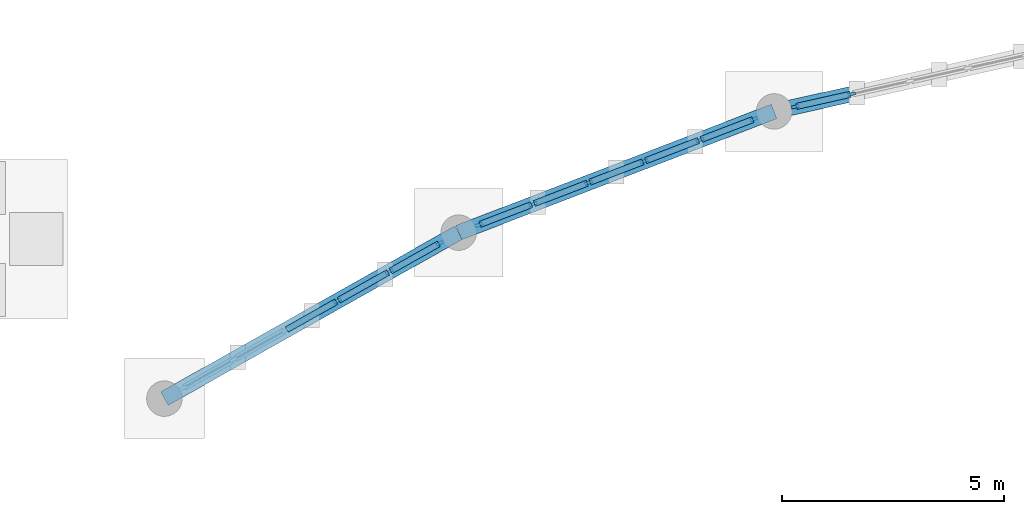
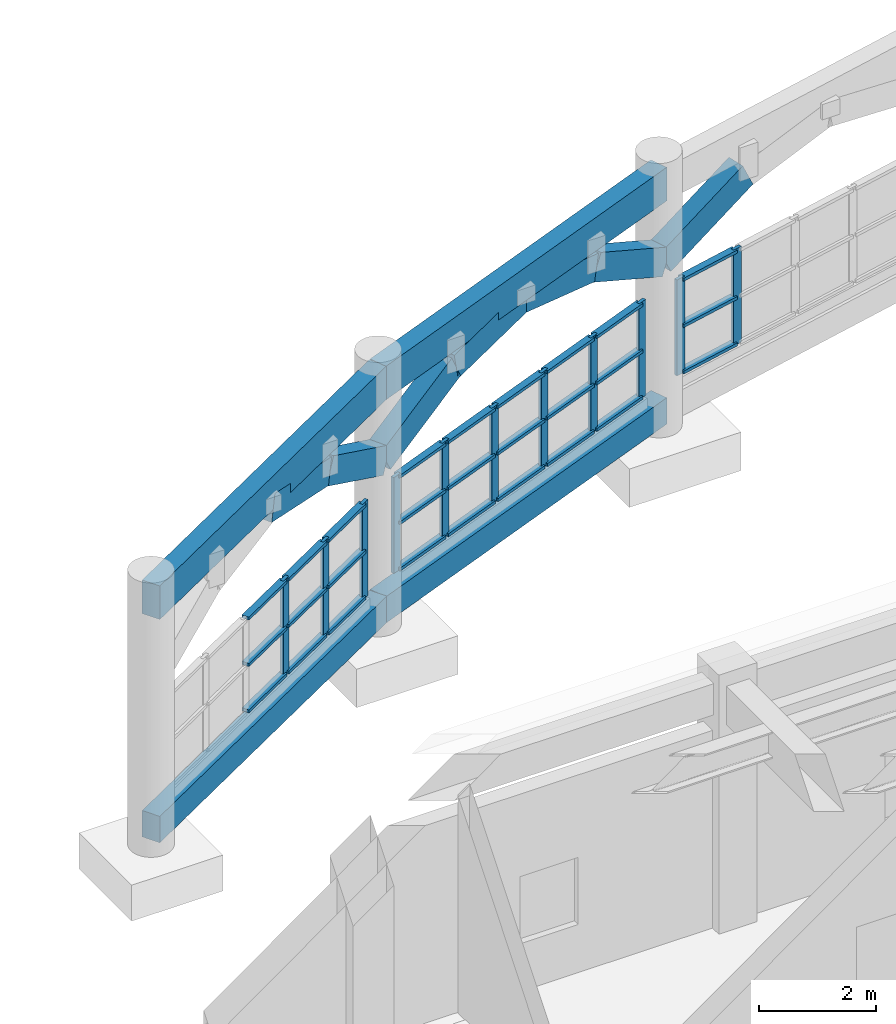
# One storey, part 27 of 100: 45 members, 4 beams, 3 elements without a shape of their own.
"""IFC4 building model written with IfcOpenShell, lengths in metres."""

from ifc_helpers import new_model, si_unit, direction, frame, origin, origin_2d, place, context, subcontext, project, spatial, rectangle, extrude, material, material_profile, profile_set, type_object, element, aggregate, save


model = new_model("IFC4")

# Units and contexts
model_context = context("Model", 3, precision=1e-05, world=origin(), true_north=direction((0.0, 1.0)))
body_context = subcontext(model_context, "Body", "Model", "MODEL_VIEW")
ifc_project = project(units=[si_unit("LENGTHUNIT", "METRE"), si_unit("AREAUNIT", "SQUARE_METRE"), si_unit("VOLUMEUNIT", "CUBIC_METRE"), si_unit("PLANEANGLEUNIT", "RADIAN"), si_unit("MASSUNIT", "GRAM", prefix="KILO")], contexts=[model_context])

# Site, building, storey
site_placement = place(None, origin())
site = spatial("IfcSite", under=ifc_project, at=site_placement, CompositionType="ELEMENT")
building_placement = place(site_placement, origin())
building = spatial("IfcBuilding", under=site, at=building_placement, Name="Mithqara Police Headquarters", CompositionType="ELEMENT")
storey_placement = place(building_placement, origin())
storey = spatial("IfcBuildingStorey", under=building, at=storey_placement, Name="L00", CompositionType="ELEMENT", Elevation=0.0)

# Members
ifc_material_1 = material(Name="Concrete C50/60", Category="concrete")
ifc_material_profile_1 = material_profile(ifc_material_1, rectangle(XDim=0.35009765625, YDim=0.550048828125, at=origin_2d()), Name="ARC 350x550")
ifc_profile_set_1 = profile_set([ifc_material_profile_1], Name="Concrete C50/60")
member_type_1 = type_object("IfcMemberType", Name="ARCH SEG 350X550", PredefinedType="STRUT", material=ifc_profile_set_1)
member_1_placement = place(storey_placement, frame((47.1201171875, 94.872802734375, 4.449951171875), z_axis=(0.854056117677, 0.481858989176, -0.195959338664), x_axis=(-0.491385969569, 0.870941920515, 0.0)))
element("IfcMember", 1, at=member_1_placement, inside=storey, type_object=member_type_1, Name="Forecourt Colonnade Bay 1 Ottoman Arch Chord 3", PredefinedType="STRUT", context=body_context, shape_type="SweptSolid", body=[
    extrude(rectangle(XDim=0.35009765625, YDim=0.550048828125, at=origin_2d()), origin(), (0.0, 0.0, 1.0), 1.943603515625),
])
for number, where, z_axis, x_axis, name in (
    (2, (48.780029296875, 95.809326171875, 4.069091796875), (0.784556167947, 0.442466603541, -0.434390290047), (-0.491233979485, 0.871027655932, 0.0), "Forecourt Colonnade Bay 1 Ottoman Arch Chord 4"),
    (3, (50.440185546875, 96.74560546875, 3.14990234375), (0.840782602286, 0.323067282339, 0.434410113573), (-0.358678621144, 0.933461111528, 0.0), "Forecourt Colonnade Bay 2 Ottoman Arch Chord 1"),
):
    element("IfcMember", number, at=place(storey_placement, frame(where, z_axis=z_axis, x_axis=x_axis)), inside=storey, type_object=member_type_1, Name=name, PredefinedType="STRUT", context=body_context, shape_type="SweptSolid", body=[
        extrude(rectangle(XDim=0.35009765625, YDim=0.550048828125, at=origin_2d()), origin(), (0.0, 0.0, 1.0), 2.115966796875),
    ])
member_2_placement = place(storey_placement, frame((52.21923828125, 97.42919921875, 4.069091796875), z_axis=(0.915342841654, 0.351794086097, 0.195929587401), x_axis=(-0.358747338936, 0.933434704094, 0.0)))
element("IfcMember", 4, at=member_2_placement, inside=storey, type_object=member_type_1, Name="Forecourt Colonnade Bay 2 Ottoman Arch Chord 2", PredefinedType="STRUT", context=body_context, shape_type="SweptSolid", body=[
    extrude(rectangle(XDim=0.35009765625, YDim=0.550048828125, at=origin_2d()), origin(), (0.0, 0.0, 1.0), 1.94384765625),
])
member_3_placement = place(storey_placement, frame((53.99853515625, 98.113037109375, 4.449951171875), z_axis=(0.915362920353, 0.351724465073, -0.195960773398), x_axis=(-0.358678621144, 0.933461111528, 0.0)))
element("IfcMember", 5, at=member_3_placement, inside=storey, type_object=member_type_1, Name="Forecourt Colonnade Bay 2 Ottoman Arch Chord 3", PredefinedType="STRUT", context=body_context, shape_type="SweptSolid", body=[
    extrude(rectangle(XDim=0.35009765625, YDim=0.550048828125, at=origin_2d()), origin(), (0.0, 0.0, 1.0), 1.943603515625),
])
member_4_placement = place(storey_placement, frame((55.777587890625, 98.796630859375, 4.069091796875), z_axis=(0.840816413813, 0.323035943836, -0.434367974479), x_axis=(-0.358635736571, 0.933477588619, 0.0)))
element("IfcMember", 6, at=member_4_placement, inside=storey, type_object=member_type_1, Name="Forecourt Colonnade Bay 2 Ottoman Arch Chord 4", PredefinedType="STRUT", context=body_context, shape_type="SweptSolid", body=[
    extrude(rectangle(XDim=0.35009765625, YDim=0.550048828125, at=origin_2d()), origin(), (0.0, 0.0, 1.0), 2.1162109375),
])
member_5_placement = place(storey_placement, frame((57.556884765625, 99.480224609375, 3.14990234375), z_axis=(0.878970376857, 0.196724139215, 0.434408436449), x_axis=(-0.218408621026, 0.975857404676, 0.0)))
element("IfcMember", 7, at=member_5_placement, inside=storey, type_object=member_type_1, Name="Forecourt Colonnade Bay 3 Ottoman Arch Chord 1", PredefinedType="STRUT", context=body_context, shape_type="SweptSolid", body=[
    extrude(rectangle(XDim=0.35009765625, YDim=0.550048828125, at=origin_2d()), origin(), (0.0, 0.0, 1.0), 2.115966796875),
])

# Beams
ifc_material_2 = material(Name="Concrete C40/50", Category="concrete")
ifc_material_profile_2 = material_profile(ifc_material_2, rectangle(XDim=0.35009765625, YDim=0.550048828125, at=origin_2d()), Name="RC 350x550")
ifc_profile_set_2 = profile_set([ifc_material_profile_2], Name="Concrete C40/50")
beam_type_1 = type_object("IfcBeamType", Name="BEAM RC350X550", PredefinedType="BEAM", material=ifc_profile_set_2)
beam_1_placement = place(storey_placement, frame((43.800048828125, 93.0, 0.0400390625), z_axis=(0.870984792582, 0.491309974549, 0.0), x_axis=(-0.491309974549, 0.870984792582, 0.0)))
element("IfcBeam", 8, at=beam_1_placement, inside=storey, type_object=beam_type_1, Name="Forecourt Colonnade Plinth Spandrel 1", PredefinedType="BEAM", context=body_context, shape_type="SweptSolid", body=[
    extrude(rectangle(XDim=0.35009765625, YDim=0.550048828125, at=origin_2d()), origin(), (0.0, 0.0, 1.0), 7.623779296875),
])
beam_2_placement = place(storey_placement, frame((50.440185546875, 96.74560546875, 0.0400390625), z_axis=(0.933458629375, 0.358685080879, 0.0), x_axis=(-0.358685080879, 0.933458629375, 0.0)))
element("IfcBeam", 9, at=beam_2_placement, inside=storey, type_object=beam_type_1, Name="Forecourt Colonnade Plinth Spandrel 2", PredefinedType="BEAM", context=body_context, shape_type="SweptSolid", body=[
    extrude(rectangle(XDim=0.35009765625, YDim=0.550048828125, at=origin_2d()), origin(), (0.0, 0.0, 1.0), 7.6240234375),
])

# Curtain wall, members
ifc_material_3 = material(Name="Bronze anodised aluminium 6063-T6", Category="aluminium")
curtain_wall_type = type_object("IfcCurtainWallType", Name="CURTAIN WALL 6725X2000", PredefinedType="USERDEFINED", material=ifc_material_3)
curtain_wall_1_placement = place(storey_placement, origin())
curtain_wall_1 = element("IfcCurtainWall", 10, at=curtain_wall_1_placement, inside=storey, type_object=curtain_wall_type, Name="L00 Unitised Glazing CW-11 (CW-ARC-L00-00-0)", ObjectType="UNITISED GLAZING", PredefinedType="USERDEFINED")
ifc_material_profile_3 = material_profile(ifc_material_3, rectangle(XDim=0.06494140625, YDim=0.179931640625, at=origin_2d()), Name="CWM 65x180")
ifc_profile_set_3 = profile_set([ifc_material_profile_3], Name="Bronze anodised aluminium 6063-T6")
member_type_2 = type_object("IfcMemberType", Name="CWMULLION 65X180", PredefinedType="MULLION", material=ifc_profile_set_3)
member_6_placement = place(storey_placement, frame((47.705810546875, 95.203125, 0.52001953125), z_axis=(0.0, 0.0, 1.0), x_axis=(-0.491315691036, 0.870981567969, 0.0)))
member_6 = element("IfcMember", 11, at=member_6_placement, type_object=member_type_2, Name="CW-11 mullion 4", PredefinedType="MULLION", context=body_context, shape_type="SweptSolid", body=[
    extrude(rectangle(XDim=0.06494140625, YDim=0.179931640625, at=origin_2d()), origin(), (0.0, 0.0, 1.0), 2.0),
])
member_7_placement = place(storey_placement, frame((48.877197265625, 95.864013671875, 0.52001953125), z_axis=(0.0, 0.0, 1.0), x_axis=(-0.491315691036, 0.870981567969, 0.0)))
member_7 = element("IfcMember", 12, at=member_7_placement, type_object=member_type_2, Name="CW-11 mullion 5", PredefinedType="MULLION", context=body_context, shape_type="SweptSolid", body=[
    extrude(rectangle(XDim=0.06494140625, YDim=0.179931640625, at=origin_2d()), origin(), (0.0, 0.0, 1.0), 2.0),
])
member_8_placement = place(storey_placement, frame((50.020263671875, 96.5087890625, 0.52001953125), z_axis=(0.0, 0.0, 1.0), x_axis=(-0.491315691036, 0.870981567969, 0.0)))
member_8 = element("IfcMember", 13, at=member_8_placement, type_object=member_type_2, Name="CW-11 mullion 6", PredefinedType="MULLION", context=body_context, shape_type="SweptSolid", body=[
    extrude(rectangle(XDim=0.06494140625, YDim=0.179931640625, at=origin_2d()), origin(), (0.0, 0.0, 1.0), 2.0),
])

curtain_wall_2_placement = place(storey_placement, origin())
curtain_wall_2 = element("IfcCurtainWall", 14, at=curtain_wall_2_placement, inside=storey, type_object=curtain_wall_type, Name="L00 Unitised Glazing CW-11 (CW-ARC-L00-01-0)", ObjectType="UNITISED GLAZING", PredefinedType="USERDEFINED")
member_9_placement = place(storey_placement, frame((50.89013671875, 96.918701171875, 0.52001953125), z_axis=(0.0, 0.0, 1.0), x_axis=(-0.358680114811, 0.933460537591, 0.0)))
member_9 = element("IfcMember", 15, at=member_9_placement, type_object=member_type_2, Name="CW-11 mullion 1", PredefinedType="MULLION", context=body_context, shape_type="SweptSolid", body=[
    extrude(rectangle(XDim=0.06494140625, YDim=0.179931640625, at=origin_2d()), origin(), (0.0, 0.0, 1.0), 2.0),
])
member_10_placement = place(storey_placement, frame((52.115234375, 97.389404296875, 0.52001953125), z_axis=(0.0, 0.0, 1.0), x_axis=(-0.358680114811, 0.933460537591, 0.0)))
member_10 = element("IfcMember", 16, at=member_10_placement, type_object=member_type_2, Name="CW-11 mullion 2", PredefinedType="MULLION", context=body_context, shape_type="SweptSolid", body=[
    extrude(rectangle(XDim=0.06494140625, YDim=0.179931640625, at=origin_2d()), origin(), (0.0, 0.0, 1.0), 2.0),
])
member_11_placement = place(storey_placement, frame((53.370849609375, 97.871826171875, 0.52001953125), z_axis=(0.0, 0.0, 1.0), x_axis=(-0.358680114811, 0.933460537591, 0.0)))
member_11 = element("IfcMember", 17, at=member_11_placement, type_object=member_type_2, Name="CW-11 mullion 3", PredefinedType="MULLION", context=body_context, shape_type="SweptSolid", body=[
    extrude(rectangle(XDim=0.06494140625, YDim=0.179931640625, at=origin_2d()), origin(), (0.0, 0.0, 1.0), 2.0),
])
member_12_placement = place(storey_placement, frame((54.626220703125, 98.354248046875, 0.52001953125), z_axis=(0.0, 0.0, 1.0), x_axis=(-0.358680114811, 0.933460537591, 0.0)))
member_12 = element("IfcMember", 18, at=member_12_placement, type_object=member_type_2, Name="CW-11 mullion 4", PredefinedType="MULLION", context=body_context, shape_type="SweptSolid", body=[
    extrude(rectangle(XDim=0.06494140625, YDim=0.179931640625, at=origin_2d()), origin(), (0.0, 0.0, 1.0), 2.0),
])
member_13_placement = place(storey_placement, frame((55.881591796875, 98.836669921875, 0.52001953125), z_axis=(0.0, 0.0, 1.0), x_axis=(-0.358680114811, 0.933460537591, 0.0)))
member_13 = element("IfcMember", 19, at=member_13_placement, type_object=member_type_2, Name="CW-11 mullion 5", PredefinedType="MULLION", context=body_context, shape_type="SweptSolid", body=[
    extrude(rectangle(XDim=0.06494140625, YDim=0.179931640625, at=origin_2d()), origin(), (0.0, 0.0, 1.0), 2.0),
])
member_14_placement = place(storey_placement, frame((57.106689453125, 99.307373046875, 0.52001953125), z_axis=(0.0, 0.0, 1.0), x_axis=(-0.358680114811, 0.933460537591, 0.0)))
member_14 = element("IfcMember", 20, at=member_14_placement, type_object=member_type_2, Name="CW-11 mullion 6", PredefinedType="MULLION", context=body_context, shape_type="SweptSolid", body=[
    extrude(rectangle(XDim=0.06494140625, YDim=0.179931640625, at=origin_2d()), origin(), (0.0, 0.0, 1.0), 2.0),
])

curtain_wall_3_placement = place(storey_placement, origin())
curtain_wall_3 = element("IfcCurtainWall", 21, at=curtain_wall_3_placement, inside=storey, type_object=curtain_wall_type, Name="L00 Unitised Glazing CW-11 (CW-ARC-L00-02-0)", ObjectType="UNITISED GLAZING", PredefinedType="USERDEFINED")
member_15_placement = place(storey_placement, frame((58.02734375, 99.585693359375, 0.52001953125), z_axis=(0.0, 0.0, 1.0), x_axis=(-0.218334747306, 0.975873935567, 0.0)))
member_15 = element("IfcMember", 22, at=member_15_placement, type_object=member_type_2, Name="CW-11 mullion 1", PredefinedType="MULLION", context=body_context, shape_type="SweptSolid", body=[
    extrude(rectangle(XDim=0.06494140625, YDim=0.179931640625, at=origin_2d()), origin(), (0.0, 0.0, 1.0), 2.0),
])
member_16_placement = place(storey_placement, frame((59.30810546875, 99.8720703125, 0.52001953125), z_axis=(0.0, 0.0, 1.0), x_axis=(-0.218334747306, 0.975873935567, 0.0)))
member_16 = element("IfcMember", 23, at=member_16_placement, type_object=member_type_2, Name="CW-11 mullion 2", PredefinedType="MULLION", context=body_context, shape_type="SweptSolid", body=[
    extrude(rectangle(XDim=0.06494140625, YDim=0.179931640625, at=origin_2d()), origin(), (0.0, 0.0, 1.0), 2.0),
])

# Member
ifc_material_profile_4 = material_profile(ifc_material_3, rectangle(XDim=0.139892578125, YDim=0.06494140625, at=origin_2d()), Name="CWT 140x65")
ifc_profile_set_4 = profile_set([ifc_material_profile_4], Name="Bronze anodised aluminium 6063-T6")
member_type_3 = type_object("IfcMemberType", Name="CWTRANSOM 140X65", PredefinedType="USERDEFINED", material=ifc_profile_set_4)
member_17_placement = place(storey_placement, frame((46.562744140625, 94.558349609375, 0.552490234375), z_axis=(0.870953350717, 0.49136570991, 0.0), x_axis=(-0.49136570991, 0.870953350717, 0.0)))
member_17 = element("IfcMember", 24, at=member_17_placement, type_object=member_type_3, Name="CW-11 transom 3.1", ObjectType="TRANSOM", PredefinedType="USERDEFINED", context=body_context, shape_type="SweptSolid", body=[
    extrude(rectangle(XDim=0.139892578125, YDim=0.06494140625, at=origin_2d()), origin(), (0.0, 0.0, 1.0), 1.280029296875),
])

member_18_placement = place(storey_placement, frame((46.562744140625, 94.558349609375, 1.52001953125), z_axis=(0.870953350717, 0.49136570991, 0.0), x_axis=(-0.49136570991, 0.870953350717, 0.0)))
member_18 = element("IfcMember", 25, at=member_18_placement, type_object=member_type_3, Name="CW-11 transom 3.2", ObjectType="TRANSOM", PredefinedType="USERDEFINED", context=body_context, shape_type="SweptSolid", body=[
    extrude(rectangle(XDim=0.139892578125, YDim=0.06494140625, at=origin_2d()), origin(), (0.0, 0.0, 1.0), 1.280029296875),
])

member_19_placement = place(storey_placement, frame((46.562744140625, 94.558349609375, 2.487548828125), z_axis=(0.870953350717, 0.49136570991, 0.0), x_axis=(-0.49136570991, 0.870953350717, 0.0)))
member_19 = element("IfcMember", 26, at=member_19_placement, type_object=member_type_3, Name="CW-11 transom 3.3", ObjectType="TRANSOM", PredefinedType="USERDEFINED", context=body_context, shape_type="SweptSolid", body=[
    extrude(rectangle(XDim=0.139892578125, YDim=0.06494140625, at=origin_2d()), origin(), (0.0, 0.0, 1.0), 1.280029296875),
])

member_20_placement = place(storey_placement, frame((47.734130859375, 95.21923828125, 0.552490234375), z_axis=(0.870953350717, 0.49136570991, 0.0), x_axis=(-0.49136570991, 0.870953350717, 0.0)))
member_20 = element("IfcMember", 27, at=member_20_placement, type_object=member_type_3, Name="CW-11 transom 4.1", ObjectType="TRANSOM", PredefinedType="USERDEFINED", context=body_context, shape_type="SweptSolid", body=[
    extrude(rectangle(XDim=0.139892578125, YDim=0.06494140625, at=origin_2d()), origin(), (0.0, 0.0, 1.0), 1.280029296875),
])

member_21_placement = place(storey_placement, frame((47.734130859375, 95.21923828125, 1.52001953125), z_axis=(0.870953350717, 0.49136570991, 0.0), x_axis=(-0.49136570991, 0.870953350717, 0.0)))
member_21 = element("IfcMember", 28, at=member_21_placement, type_object=member_type_3, Name="CW-11 transom 4.2", ObjectType="TRANSOM", PredefinedType="USERDEFINED", context=body_context, shape_type="SweptSolid", body=[
    extrude(rectangle(XDim=0.139892578125, YDim=0.06494140625, at=origin_2d()), origin(), (0.0, 0.0, 1.0), 1.280029296875),
])

member_22_placement = place(storey_placement, frame((47.734130859375, 95.21923828125, 2.487548828125), z_axis=(0.870953350717, 0.49136570991, 0.0), x_axis=(-0.49136570991, 0.870953350717, 0.0)))
member_22 = element("IfcMember", 29, at=member_22_placement, type_object=member_type_3, Name="CW-11 transom 4.3", ObjectType="TRANSOM", PredefinedType="USERDEFINED", context=body_context, shape_type="SweptSolid", body=[
    extrude(rectangle(XDim=0.139892578125, YDim=0.06494140625, at=origin_2d()), origin(), (0.0, 0.0, 1.0), 1.280029296875),
])

member_23_placement = place(storey_placement, frame((48.905517578125, 95.8798828125, 0.552490234375), z_axis=(0.870916184468, 0.491431581842, 0.0), x_axis=(-0.491431581842, 0.870916184468, 0.0)))
member_23 = element("IfcMember", 30, at=member_23_placement, type_object=member_type_3, Name="CW-11 transom 5.1", ObjectType="TRANSOM", PredefinedType="USERDEFINED", context=body_context, shape_type="SweptSolid", body=[
    extrude(rectangle(XDim=0.139892578125, YDim=0.06494140625, at=origin_2d()), origin(), (0.0, 0.0, 1.0), 1.24755859375),
])

member_24_placement = place(storey_placement, frame((48.905517578125, 95.8798828125, 1.52001953125), z_axis=(0.870916184468, 0.491431581842, 0.0), x_axis=(-0.491431581842, 0.870916184468, 0.0)))
member_24 = element("IfcMember", 31, at=member_24_placement, type_object=member_type_3, Name="CW-11 transom 5.2", ObjectType="TRANSOM", PredefinedType="USERDEFINED", context=body_context, shape_type="SweptSolid", body=[
    extrude(rectangle(XDim=0.139892578125, YDim=0.06494140625, at=origin_2d()), origin(), (0.0, 0.0, 1.0), 1.24755859375),
])

member_25_placement = place(storey_placement, frame((48.905517578125, 95.8798828125, 2.487548828125), z_axis=(0.870916184468, 0.491431581842, 0.0), x_axis=(-0.491431581842, 0.870916184468, 0.0)))
member_25 = element("IfcMember", 32, at=member_25_placement, type_object=member_type_3, Name="CW-11 transom 5.3", ObjectType="TRANSOM", PredefinedType="USERDEFINED", context=body_context, shape_type="SweptSolid", body=[
    extrude(rectangle(XDim=0.139892578125, YDim=0.06494140625, at=origin_2d()), origin(), (0.0, 0.0, 1.0), 1.24755859375),
])

aggregate(curtain_wall_1, [member_6, member_7, member_8, member_17, member_18, member_19, member_20, member_21, member_22, member_23, member_24, member_25])

member_26_placement = place(storey_placement, frame((50.920654296875, 96.930419921875, 0.552490234375), z_axis=(0.933491830424, 0.35859866499, 0.0), x_axis=(-0.35859866499, 0.933491830424, 0.0)))
member_26 = element("IfcMember", 33, at=member_26_placement, type_object=member_type_3, Name="CW-11 transom 1.1", ObjectType="TRANSOM", PredefinedType="USERDEFINED", context=body_context, shape_type="SweptSolid", body=[
    extrude(rectangle(XDim=0.139892578125, YDim=0.06494140625, at=origin_2d()), origin(), (0.0, 0.0, 1.0), 1.247314453125),
])

member_27_placement = place(storey_placement, frame((50.920654296875, 96.930419921875, 1.52001953125), z_axis=(0.933491830424, 0.35859866499, 0.0), x_axis=(-0.35859866499, 0.933491830424, 0.0)))
member_27 = element("IfcMember", 34, at=member_27_placement, type_object=member_type_3, Name="CW-11 transom 1.2", ObjectType="TRANSOM", PredefinedType="USERDEFINED", context=body_context, shape_type="SweptSolid", body=[
    extrude(rectangle(XDim=0.139892578125, YDim=0.06494140625, at=origin_2d()), origin(), (0.0, 0.0, 1.0), 1.247314453125),
])

member_28_placement = place(storey_placement, frame((50.920654296875, 96.930419921875, 2.487548828125), z_axis=(0.933491830424, 0.35859866499, 0.0), x_axis=(-0.35859866499, 0.933491830424, 0.0)))
member_28 = element("IfcMember", 35, at=member_28_placement, type_object=member_type_3, Name="CW-11 transom 1.3", ObjectType="TRANSOM", PredefinedType="USERDEFINED", context=body_context, shape_type="SweptSolid", body=[
    extrude(rectangle(XDim=0.139892578125, YDim=0.06494140625, at=origin_2d()), origin(), (0.0, 0.0, 1.0), 1.247314453125),
])

member_29_placement = place(storey_placement, frame((52.145751953125, 97.401123046875, 0.552490234375), z_axis=(0.933468474363, 0.358659458778, 0.0), x_axis=(-0.358659458778, 0.933468474363, 0.0)))
member_29 = element("IfcMember", 36, at=member_29_placement, type_object=member_type_3, Name="CW-11 transom 2.1", ObjectType="TRANSOM", PredefinedType="USERDEFINED", context=body_context, shape_type="SweptSolid", body=[
    extrude(rectangle(XDim=0.139892578125, YDim=0.06494140625, at=origin_2d()), origin(), (0.0, 0.0, 1.0), 1.27978515625),
])

member_30_placement = place(storey_placement, frame((52.145751953125, 97.401123046875, 1.52001953125), z_axis=(0.933468474363, 0.358659458778, 0.0), x_axis=(-0.358659458778, 0.933468474363, 0.0)))
member_30 = element("IfcMember", 37, at=member_30_placement, type_object=member_type_3, Name="CW-11 transom 2.2", ObjectType="TRANSOM", PredefinedType="USERDEFINED", context=body_context, shape_type="SweptSolid", body=[
    extrude(rectangle(XDim=0.139892578125, YDim=0.06494140625, at=origin_2d()), origin(), (0.0, 0.0, 1.0), 1.27978515625),
])

member_31_placement = place(storey_placement, frame((52.145751953125, 97.401123046875, 2.487548828125), z_axis=(0.933468474363, 0.358659458778, 0.0), x_axis=(-0.358659458778, 0.933468474363, 0.0)))
member_31 = element("IfcMember", 38, at=member_31_placement, type_object=member_type_3, Name="CW-11 transom 2.3", ObjectType="TRANSOM", PredefinedType="USERDEFINED", context=body_context, shape_type="SweptSolid", body=[
    extrude(rectangle(XDim=0.139892578125, YDim=0.06494140625, at=origin_2d()), origin(), (0.0, 0.0, 1.0), 1.27978515625),
])

member_32_placement = place(storey_placement, frame((53.401123046875, 97.883544921875, 0.552490234375), z_axis=(0.933493008626, 0.358595597919, 0.0), x_axis=(-0.358595597919, 0.933493008626, 0.0)))
member_32 = element("IfcMember", 39, at=member_32_placement, type_object=member_type_3, Name="CW-11 transom 3.1", ObjectType="TRANSOM", PredefinedType="USERDEFINED", context=body_context, shape_type="SweptSolid", body=[
    extrude(rectangle(XDim=0.139892578125, YDim=0.06494140625, at=origin_2d()), origin(), (0.0, 0.0, 1.0), 1.280029296875),
])

member_33_placement = place(storey_placement, frame((53.401123046875, 97.883544921875, 1.52001953125), z_axis=(0.933493008626, 0.358595597919, 0.0), x_axis=(-0.358595597919, 0.933493008626, 0.0)))
member_33 = element("IfcMember", 40, at=member_33_placement, type_object=member_type_3, Name="CW-11 transom 3.2", ObjectType="TRANSOM", PredefinedType="USERDEFINED", context=body_context, shape_type="SweptSolid", body=[
    extrude(rectangle(XDim=0.139892578125, YDim=0.06494140625, at=origin_2d()), origin(), (0.0, 0.0, 1.0), 1.280029296875),
])

member_34_placement = place(storey_placement, frame((53.401123046875, 97.883544921875, 2.487548828125), z_axis=(0.933493008626, 0.358595597919, 0.0), x_axis=(-0.358595597919, 0.933493008626, 0.0)))
member_34 = element("IfcMember", 41, at=member_34_placement, type_object=member_type_3, Name="CW-11 transom 3.3", ObjectType="TRANSOM", PredefinedType="USERDEFINED", context=body_context, shape_type="SweptSolid", body=[
    extrude(rectangle(XDim=0.139892578125, YDim=0.06494140625, at=origin_2d()), origin(), (0.0, 0.0, 1.0), 1.280029296875),
])

member_35_placement = place(storey_placement, frame((54.656494140625, 98.365966796875, 0.552490234375), z_axis=(0.933493008626, 0.358595597919, 0.0), x_axis=(-0.358595597919, 0.933493008626, 0.0)))
member_35 = element("IfcMember", 42, at=member_35_placement, type_object=member_type_3, Name="CW-11 transom 4.1", ObjectType="TRANSOM", PredefinedType="USERDEFINED", context=body_context, shape_type="SweptSolid", body=[
    extrude(rectangle(XDim=0.139892578125, YDim=0.06494140625, at=origin_2d()), origin(), (0.0, 0.0, 1.0), 1.280029296875),
])

member_36_placement = place(storey_placement, frame((54.656494140625, 98.365966796875, 1.52001953125), z_axis=(0.933493008626, 0.358595597919, 0.0), x_axis=(-0.358595597919, 0.933493008626, 0.0)))
member_36 = element("IfcMember", 43, at=member_36_placement, type_object=member_type_3, Name="CW-11 transom 4.2", ObjectType="TRANSOM", PredefinedType="USERDEFINED", context=body_context, shape_type="SweptSolid", body=[
    extrude(rectangle(XDim=0.139892578125, YDim=0.06494140625, at=origin_2d()), origin(), (0.0, 0.0, 1.0), 1.280029296875),
])

member_37_placement = place(storey_placement, frame((54.656494140625, 98.365966796875, 2.487548828125), z_axis=(0.933493008626, 0.358595597919, 0.0), x_axis=(-0.358595597919, 0.933493008626, 0.0)))
member_37 = element("IfcMember", 44, at=member_37_placement, type_object=member_type_3, Name="CW-11 transom 4.3", ObjectType="TRANSOM", PredefinedType="USERDEFINED", context=body_context, shape_type="SweptSolid", body=[
    extrude(rectangle(XDim=0.139892578125, YDim=0.06494140625, at=origin_2d()), origin(), (0.0, 0.0, 1.0), 1.280029296875),
])

member_38_placement = place(storey_placement, frame((55.912109375, 98.84814453125, 0.552490234375), z_axis=(0.933426295142, 0.358769217655, 0.0), x_axis=(-0.358769217655, 0.933426295142, 0.0)))
member_38 = element("IfcMember", 45, at=member_38_placement, type_object=member_type_3, Name="CW-11 transom 5.1", ObjectType="TRANSOM", PredefinedType="USERDEFINED", context=body_context, shape_type="SweptSolid", body=[
    extrude(rectangle(XDim=0.139892578125, YDim=0.06494140625, at=origin_2d()), origin(), (0.0, 0.0, 1.0), 1.247314453125),
])

member_39_placement = place(storey_placement, frame((55.912109375, 98.84814453125, 1.52001953125), z_axis=(0.933426295142, 0.358769217655, 0.0), x_axis=(-0.358769217655, 0.933426295142, 0.0)))
member_39 = element("IfcMember", 46, at=member_39_placement, type_object=member_type_3, Name="CW-11 transom 5.2", ObjectType="TRANSOM", PredefinedType="USERDEFINED", context=body_context, shape_type="SweptSolid", body=[
    extrude(rectangle(XDim=0.139892578125, YDim=0.06494140625, at=origin_2d()), origin(), (0.0, 0.0, 1.0), 1.247314453125),
])

member_40_placement = place(storey_placement, frame((55.912109375, 98.84814453125, 2.487548828125), z_axis=(0.933426295142, 0.358769217655, 0.0), x_axis=(-0.358769217655, 0.933426295142, 0.0)))
member_40 = element("IfcMember", 47, at=member_40_placement, type_object=member_type_3, Name="CW-11 transom 5.3", ObjectType="TRANSOM", PredefinedType="USERDEFINED", context=body_context, shape_type="SweptSolid", body=[
    extrude(rectangle(XDim=0.139892578125, YDim=0.06494140625, at=origin_2d()), origin(), (0.0, 0.0, 1.0), 1.247314453125),
])

aggregate(curtain_wall_2, [member_9, member_10, member_11, member_12, member_13, member_14, member_26, member_27, member_28, member_29, member_30, member_31, member_32, member_33, member_34, member_35, member_36, member_37, member_38, member_39, member_40])

member_41_placement = place(storey_placement, frame((58.05908203125, 99.5927734375, 0.552490234375), z_axis=(0.975896050217, 0.218235879661, 0.0), x_axis=(-0.218235879661, 0.975896050217, 0.0)))
member_41 = element("IfcMember", 48, at=member_41_placement, type_object=member_type_3, Name="CW-11 transom 1.1", ObjectType="TRANSOM", PredefinedType="USERDEFINED", context=body_context, shape_type="SweptSolid", body=[
    extrude(rectangle(XDim=0.139892578125, YDim=0.06494140625, at=origin_2d()), origin(), (0.0, 0.0, 1.0), 1.247314453125),
])

member_42_placement = place(storey_placement, frame((58.05908203125, 99.5927734375, 1.52001953125), z_axis=(0.975896050217, 0.218235879661, 0.0), x_axis=(-0.218235879661, 0.975896050217, 0.0)))
member_42 = element("IfcMember", 49, at=member_42_placement, type_object=member_type_3, Name="CW-11 transom 1.2", ObjectType="TRANSOM", PredefinedType="USERDEFINED", context=body_context, shape_type="SweptSolid", body=[
    extrude(rectangle(XDim=0.139892578125, YDim=0.06494140625, at=origin_2d()), origin(), (0.0, 0.0, 1.0), 1.247314453125),
])

member_43_placement = place(storey_placement, frame((58.05908203125, 99.5927734375, 2.487548828125), z_axis=(0.975896050217, 0.218235879661, 0.0), x_axis=(-0.218235879661, 0.975896050217, 0.0)))
member_43 = element("IfcMember", 50, at=member_43_placement, type_object=member_type_3, Name="CW-11 transom 1.3", ObjectType="TRANSOM", PredefinedType="USERDEFINED", context=body_context, shape_type="SweptSolid", body=[
    extrude(rectangle(XDim=0.139892578125, YDim=0.06494140625, at=origin_2d()), origin(), (0.0, 0.0, 1.0), 1.247314453125),
])

aggregate(curtain_wall_3, [member_15, member_16, member_41, member_42, member_43])

# Beams
ifc_material_profile_5 = material_profile(ifc_material_2, rectangle(XDim=0.35009765625, YDim=0.699951171875, at=origin_2d()), Name="SPB 350x700")
ifc_profile_set_5 = profile_set([ifc_material_profile_5], Name="Concrete C40/50")
beam_type_2 = type_object("IfcBeamType", Name="SPANDREL 350X700", PredefinedType="SPANDREL", material=ifc_profile_set_5)
beam_3_placement = place(storey_placement, frame((43.800048828125, 93.0, 4.77001953125), z_axis=(0.870984792582, 0.491309974549, 0.0), x_axis=(-0.491309974549, 0.870984792582, 0.0)))
element("IfcBeam", 51, at=beam_3_placement, inside=storey, type_object=beam_type_2, Name="L00 Swept Arcade Ring Spandrel 1", PredefinedType="SPANDREL", context=body_context, shape_type="SweptSolid", body=[
    extrude(rectangle(XDim=0.35009765625, YDim=0.699951171875, at=origin_2d()), origin(), (0.0, 0.0, 1.0), 7.623779296875),
])
beam_4_placement = place(storey_placement, frame((50.440185546875, 96.74560546875, 4.77001953125), z_axis=(0.933458629375, 0.358685080879, 0.0), x_axis=(-0.358685080879, 0.933458629375, 0.0)))
element("IfcBeam", 52, at=beam_4_placement, inside=storey, type_object=beam_type_2, Name="L00 Swept Arcade Ring Spandrel 2", PredefinedType="SPANDREL", context=body_context, shape_type="SweptSolid", body=[
    extrude(rectangle(XDim=0.35009765625, YDim=0.699951171875, at=origin_2d()), origin(), (0.0, 0.0, 1.0), 7.6240234375),
])

save(model, "model.ifc")
